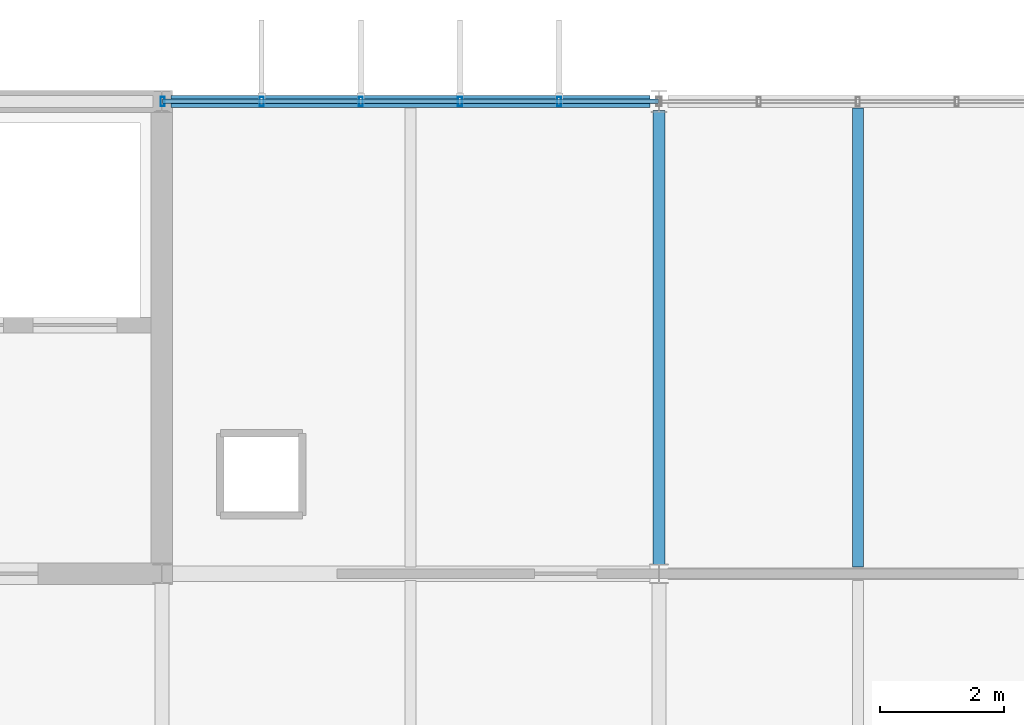
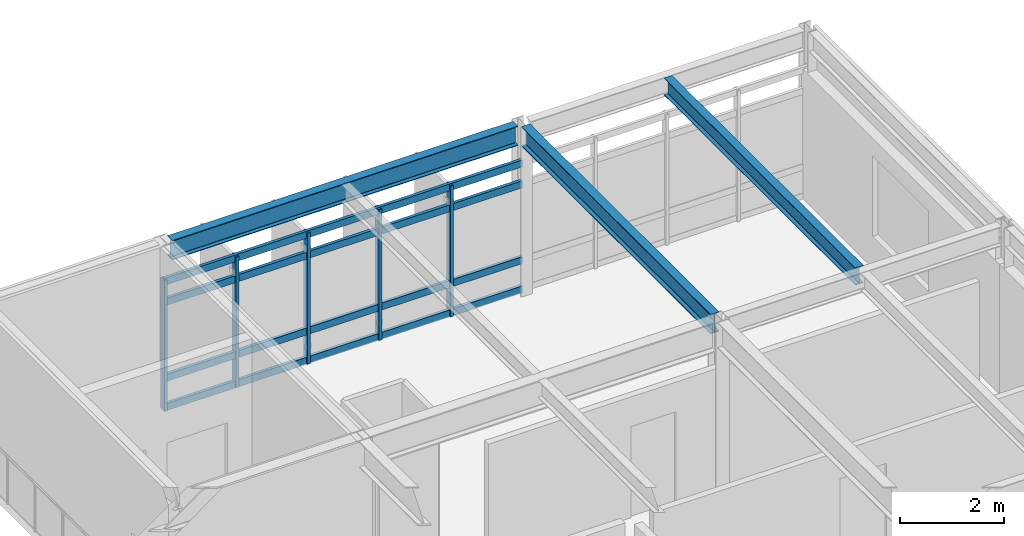
# One storey, part 11 of 17: 9 members, 3 beams, 1 element without a shape of its own.
"""IFC4 building model written with IfcOpenShell, lengths in metres."""

from ifc_helpers import new_model, si_unit, direction, frame, origin, origin_2d, place, context, subcontext, project, spatial, hollow_rectangle, i_section, extrude, material, material_profile, profile_set, type_object, element, aggregate, save


model = new_model("IFC4")

# Units and contexts
model_context = context("Model", 3, precision=1e-05, world=origin(), true_north=direction((0.0, 1.0)))
body_context = subcontext(model_context, "Body", "Model", "MODEL_VIEW")
ifc_project = project(units=[si_unit("LENGTHUNIT", "METRE"), si_unit("AREAUNIT", "SQUARE_METRE"), si_unit("VOLUMEUNIT", "CUBIC_METRE"), si_unit("PLANEANGLEUNIT", "RADIAN"), si_unit("MASSUNIT", "GRAM", prefix="KILO")], contexts=[model_context])

# Site, building, storey
site_placement = place(None, origin())
site = spatial("IfcSite", under=ifc_project, at=site_placement, CompositionType="ELEMENT")
building_placement = place(site_placement, origin())
building = spatial("IfcBuilding", under=site, at=building_placement, Name="Zulena Civic Courthouse", CompositionType="ELEMENT")
storey_placement = place(building_placement, frame((0.0, 0.0, 42.0)))
storey = spatial("IfcBuildingStorey", under=building, at=storey_placement, Name="L09", CompositionType="ELEMENT", Elevation=42.0)

# Curtain wall, members
ifc_material_1 = material(Name="Double-silver low-E laminated solar-control glass", Category="glass")
curtain_wall_type = type_object("IfcCurtainWallType", Name="CW_7976x3090", PredefinedType="USERDEFINED", material=ifc_material_1)
curtain_wall_placement = place(storey_placement, origin())
curtain_wall = element("IfcCurtainWall", 1, at=curtain_wall_placement, inside=storey, type_object=curtain_wall_type, Name="cw:V2:L09:1:4", ObjectType="UNITISED CURTAIN WALL", PredefinedType="USERDEFINED")
ifc_material_2 = material(Name="Bronze anodised thermally broken aluminium AA6063-T6", Category="aluminium")
ifc_material_profile_1 = material_profile(ifc_material_2, hollow_rectangle(XDim=0.06494140625, YDim=0.14990234375, WallThickness=0.00390625, at=origin_2d()), Name="CWM150X65X4")
ifc_profile_set_1 = profile_set([ifc_material_profile_1], Name="Bronze anodised thermally broken aluminium AA6063-T6")
member_type_1 = type_object("IfcMemberType", Name="CWMullion_150x65", PredefinedType="MULLION", material=ifc_profile_set_1)
member_1_placement = place(storey_placement, frame((52.011962890625, 22.800048828125, 0.0), z_axis=(0.0, 0.0, 1.0), x_axis=(1.0, 0.0, 0.0)))
member_1 = element("IfcMember", 2, at=member_1_placement, type_object=member_type_1, Name="cw:V2:L09:1:4:mull:0", PredefinedType="MULLION", context=body_context, shape_type="SweptSolid", body=[
    extrude(hollow_rectangle(XDim=0.06494140625, YDim=0.14990234375, WallThickness=0.00390625, at=origin_2d()), origin(), (0.0, 0.0, 1.0), 3.090087890625),
])
member_2_placement = place(storey_placement, frame((53.607177734375, 22.800048828125, 0.0), z_axis=(0.0, 0.0, 1.0), x_axis=(1.0, 0.0, 0.0)))
member_2 = element("IfcMember", 3, at=member_2_placement, type_object=member_type_1, Name="cw:V2:L09:1:4:mull:1", PredefinedType="MULLION", context=body_context, shape_type="SweptSolid", body=[
    extrude(hollow_rectangle(XDim=0.06494140625, YDim=0.14990234375, WallThickness=0.00390625, at=origin_2d()), origin(), (0.0, 0.0, 1.0), 3.090087890625),
])
member_3_placement = place(storey_placement, frame((55.202392578125, 22.800048828125, 0.0), z_axis=(0.0, 0.0, 1.0), x_axis=(1.0, 0.0, 0.0)))
member_3 = element("IfcMember", 4, at=member_3_placement, type_object=member_type_1, Name="cw:V2:L09:1:4:mull:2", PredefinedType="MULLION", context=body_context, shape_type="SweptSolid", body=[
    extrude(hollow_rectangle(XDim=0.06494140625, YDim=0.14990234375, WallThickness=0.00390625, at=origin_2d()), origin(), (0.0, 0.0, 1.0), 3.090087890625),
])
member_4_placement = place(storey_placement, frame((56.797607421875, 22.800048828125, 0.0), z_axis=(0.0, 0.0, 1.0), x_axis=(1.0, 0.0, 0.0)))
member_4 = element("IfcMember", 5, at=member_4_placement, type_object=member_type_1, Name="cw:V2:L09:1:4:mull:3", PredefinedType="MULLION", context=body_context, shape_type="SweptSolid", body=[
    extrude(hollow_rectangle(XDim=0.06494140625, YDim=0.14990234375, WallThickness=0.00390625, at=origin_2d()), origin(), (0.0, 0.0, 1.0), 3.090087890625),
])
member_5_placement = place(storey_placement, frame((58.392822265625, 22.800048828125, 0.0), z_axis=(0.0, 0.0, 1.0), x_axis=(1.0, 0.0, 0.0)))
member_5 = element("IfcMember", 6, at=member_5_placement, type_object=member_type_1, Name="cw:V2:L09:1:4:mull:4", PredefinedType="MULLION", context=body_context, shape_type="SweptSolid", body=[
    extrude(hollow_rectangle(XDim=0.06494140625, YDim=0.14990234375, WallThickness=0.00390625, at=origin_2d()), origin(), (0.0, 0.0, 1.0), 3.090087890625),
])
ifc_material_profile_2 = material_profile(ifc_material_2, hollow_rectangle(XDim=0.070068359375, YDim=0.1650390625, WallThickness=0.00390625, at=origin_2d()), Name="CWT165X70X4")
ifc_profile_set_2 = profile_set([ifc_material_profile_2], Name="Bronze anodised thermally broken aluminium AA6063-T6")
member_type_2 = type_object("IfcMemberType", Name="CWTransom_165x70", PredefinedType="USERDEFINED", material=ifc_profile_set_2)
member_6_placement = place(storey_placement, frame((52.011962890625, 22.800048828125, 0.06005859375), z_axis=(1.0, 0.0, 0.0), x_axis=(0.0, 1.0, 0.0)))
member_6 = element("IfcMember", 7, at=member_6_placement, type_object=member_type_2, Name="cw:V2:L09:1:4:tran:0", ObjectType="TRANSOM", PredefinedType="USERDEFINED", context=body_context, shape_type="SweptSolid", body=[
    extrude(hollow_rectangle(XDim=0.070068359375, YDim=0.1650390625, WallThickness=0.00390625, at=origin_2d()), origin(), (0.0, 0.0, 1.0), 7.97607421875),
])
member_7_placement = place(storey_placement, frame((52.011962890625, 22.800048828125, 0.75), z_axis=(1.0, 0.0, 0.0), x_axis=(0.0, 1.0, 0.0)))
member_7 = element("IfcMember", 8, at=member_7_placement, type_object=member_type_2, Name="cw:V2:L09:1:4:tran:1", ObjectType="TRANSOM", PredefinedType="USERDEFINED", context=body_context, shape_type="SweptSolid", body=[
    extrude(hollow_rectangle(XDim=0.070068359375, YDim=0.1650390625, WallThickness=0.00390625, at=origin_2d()), origin(), (0.0, 0.0, 1.0), 7.97607421875),
])
member_8_placement = place(storey_placement, frame((52.011962890625, 22.800048828125, 2.5400390625), z_axis=(1.0, 0.0, 0.0), x_axis=(0.0, 1.0, 0.0)))
member_8 = element("IfcMember", 9, at=member_8_placement, type_object=member_type_2, Name="cw:V2:L09:1:4:tran:2", ObjectType="TRANSOM", PredefinedType="USERDEFINED", context=body_context, shape_type="SweptSolid", body=[
    extrude(hollow_rectangle(XDim=0.070068359375, YDim=0.1650390625, WallThickness=0.00390625, at=origin_2d()), origin(), (0.0, 0.0, 1.0), 7.97607421875),
])
member_9_placement = place(storey_placement, frame((52.011962890625, 22.800048828125, 3.030029296875), z_axis=(1.0, 0.0, 0.0), x_axis=(0.0, 1.0, 0.0)))
member_9 = element("IfcMember", 10, at=member_9_placement, type_object=member_type_2, Name="cw:V2:L09:1:4:tran:3", ObjectType="TRANSOM", PredefinedType="USERDEFINED", context=body_context, shape_type="SweptSolid", body=[
    extrude(hollow_rectangle(XDim=0.070068359375, YDim=0.1650390625, WallThickness=0.00390625, at=origin_2d()), origin(), (0.0, 0.0, 1.0), 7.97607421875),
])
aggregate(curtain_wall, [member_1, member_2, member_3, member_4, member_5, member_6, member_7, member_8, member_9])

# Beams
ifc_material_3 = material(Name="Steel ASTM A992 Grade 50", Category="steel")
ifc_material_profile_3 = material_profile(ifc_material_3, i_section(OverallWidth=0.177978515625, OverallDepth=0.406005859375, WebThickness=0.0078125, FlangeThickness=0.0126953125, FilletRadius=0.01025390625, at=origin_2d()), Name="W16X40")
ifc_profile_set_3 = profile_set([ifc_material_profile_3], Name="Steel ASTM A992 Grade 50")
beam_type_1 = type_object("IfcBeamType", Name="Joist_W16X40", PredefinedType="JOIST", material=ifc_profile_set_3)
beam_1_placement = place(storey_placement, frame((63.199951171875, 15.304931640625, 3.7919921875), z_axis=(0.0, 1.0, 0.0), x_axis=(-1.0, 0.0, 0.0)))
element("IfcBeam", 11, at=beam_1_placement, inside=storey, type_object=beam_type_1, Name="joist:V2:L09:63.20:15.2_22.8", PredefinedType="JOIST", context=body_context, shape_type="SweptSolid", body=[
    extrude(i_section(OverallWidth=0.177978515625, OverallDepth=0.406005859375, WebThickness=0.0078125, FlangeThickness=0.0126953125, FilletRadius=0.01025390625, at=origin_2d()), origin(), (0.0, 0.0, 1.0), 7.39013671875),
])
ifc_material_profile_4 = material_profile(ifc_material_3, i_section(OverallWidth=0.19091796875, OverallDepth=0.4599609375, WebThickness=0.010009765625, FlangeThickness=0.01611328125, FilletRadius=0.01025390625, at=origin_2d()), Name="W18X55")
ifc_profile_set_4 = profile_set([ifc_material_profile_4], Name="Steel ASTM A992 Grade 50")
beam_type_2 = type_object("IfcBeamType", Name="Spandrel_W18X55", PredefinedType="SPANDREL", material=ifc_profile_set_4)
beam_2_placement = place(storey_placement, frame((52.14501953125, 22.800048828125, 3.764892578125), z_axis=(1.0, 0.0, 0.0), x_axis=(0.0, 1.0, 0.0)))
element("IfcBeam", 12, at=beam_2_placement, inside=storey, type_object=beam_type_2, Name="beam:X:V2:L09:22.8:52.0_60.0", PredefinedType="SPANDREL", context=body_context, shape_type="SweptSolid", body=[
    extrude(i_section(OverallWidth=0.19091796875, OverallDepth=0.4599609375, WebThickness=0.010009765625, FlangeThickness=0.01611328125, FilletRadius=0.01025390625, at=origin_2d()), origin(), (0.0, 0.0, 1.0), 7.7099609375),
])
beam_3_placement = place(storey_placement, frame((60.0, 15.344970703125, 3.764892578125), z_axis=(0.0, 1.0, 0.0), x_axis=(-1.0, 0.0, 0.0)))
element("IfcBeam", 13, at=beam_3_placement, inside=storey, type_object=beam_type_2, Name="beam:Y:V2:L09:60.0:15.2_22.8", PredefinedType="SPANDREL", context=body_context, shape_type="SweptSolid", body=[
    extrude(i_section(OverallWidth=0.19091796875, OverallDepth=0.4599609375, WebThickness=0.010009765625, FlangeThickness=0.01611328125, FilletRadius=0.01025390625, at=origin_2d()), origin(), (0.0, 0.0, 1.0), 7.31005859375),
])

save(model, "model.ifc")
